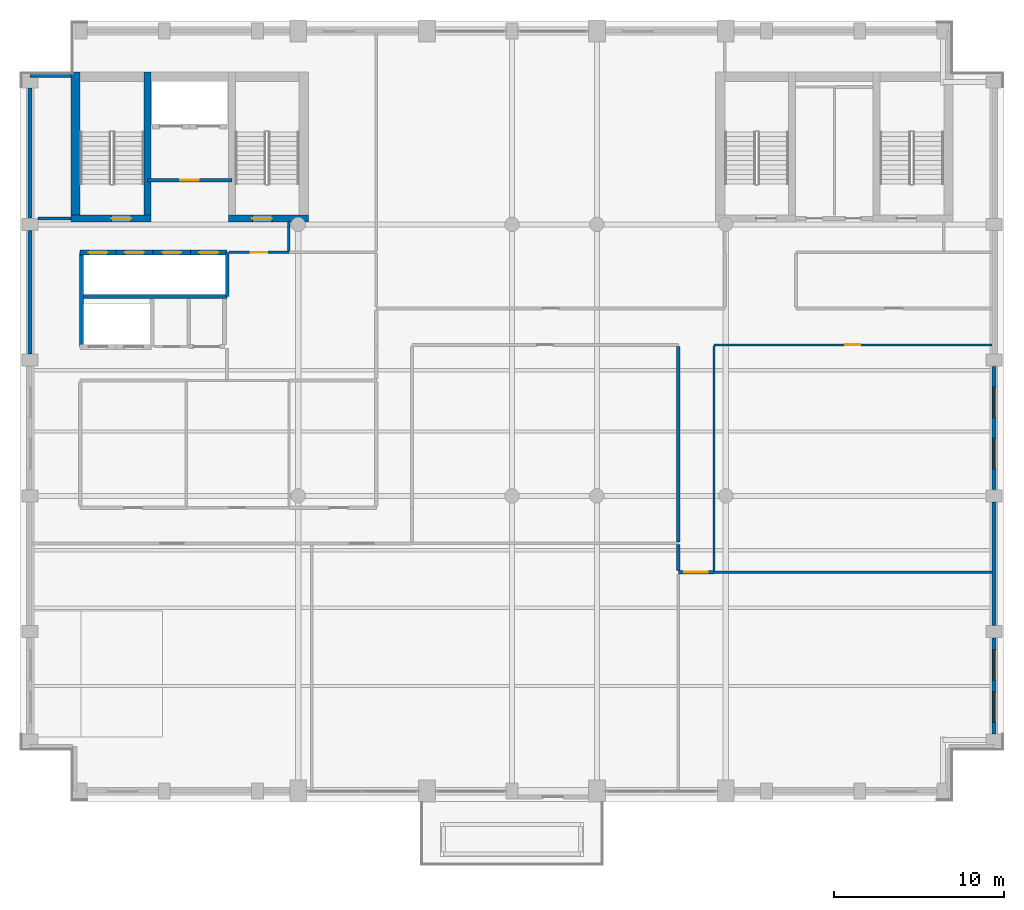
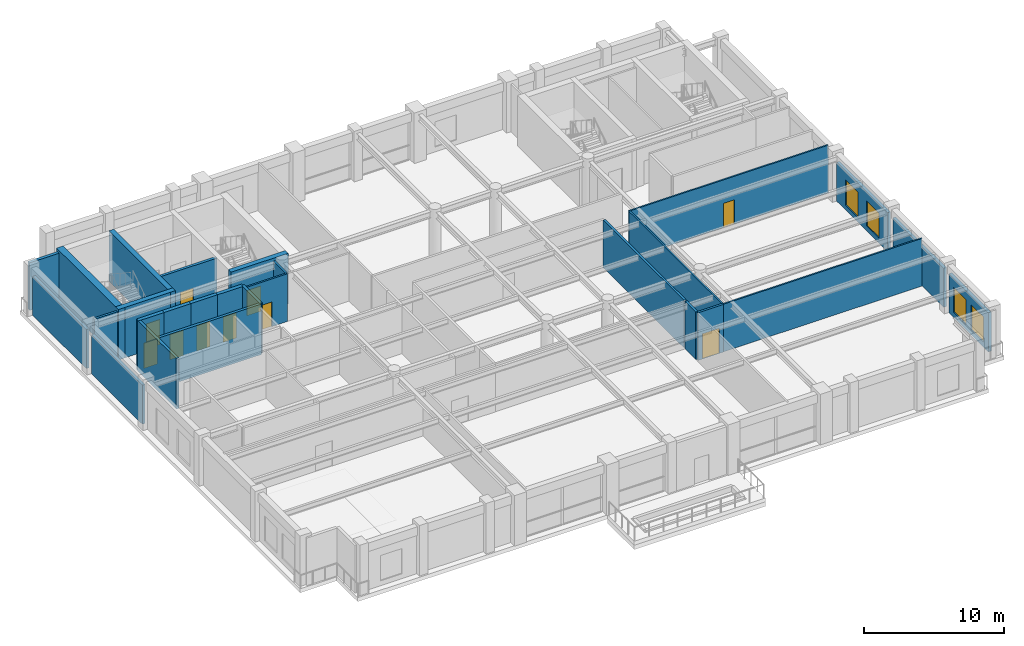
# One storey, part 8 of 13: 27 walls, 10 doors, 4 windows, 14 openings.
"""IFC4 building model written with IfcOpenShell, lengths in metres."""

from ifc_helpers import new_model, si_unit, direction, frame, frame_2d, origin, place, context, subcontext, project, spatial, rectangle, extrude, material, layer, layer_set, type_object, element, fill, save


model = new_model("IFC4")

# Units and contexts
model_context = context("Model", 3, precision=1e-05, world=origin(), true_north=direction((0.0, 1.0)))
body_context = subcontext(model_context, "Body", "Model", "MODEL_VIEW")
ifc_project = project(units=[si_unit("LENGTHUNIT", "METRE"), si_unit("AREAUNIT", "SQUARE_METRE"), si_unit("VOLUMEUNIT", "CUBIC_METRE"), si_unit("PLANEANGLEUNIT", "RADIAN"), si_unit("MASSUNIT", "GRAM", prefix="KILO")], contexts=[model_context])

# Site, building, storey
site_placement = place(None, origin())
site = spatial("IfcSite", under=ifc_project, at=site_placement, CompositionType="ELEMENT")
building_placement = place(site_placement, origin())
building = spatial("IfcBuilding", under=site, at=building_placement, Name="Sulina Concourse Tower", CompositionType="ELEMENT")
storey_placement = place(building_placement, frame((0.0, 0.0, 280.60009765625)))
storey = spatial("IfcBuildingStorey", under=building, at=storey_placement, Name="L68", CompositionType="ELEMENT", Elevation=280.60009765625)

# Walls
ifc_material_1 = material(Name="Concrete C50/60", Category="concrete")
ifc_layer_1 = layer(ifc_material_1, 0.219970703125)
ifc_layer_set_1 = layer_set([ifc_layer_1], Name="Concrete C50/60")
wall_type_1 = type_object("IfcWallType", Name="Core Lift Hoistway Divider Wall 220mm", PredefinedType="SOLIDWALL", material=ifc_layer_set_1)
wall_1_placement = place(storey_placement, frame((3.550048828125, 29.75, 0.0), z_axis=(0.0, 0.0, 1.0), x_axis=(1.0, 0.0, 0.0)))
element("IfcWall", 1, at=wall_1_placement, inside=storey, type_object=wall_type_1, Name="L68 shaft divider wall HW-LP3-S", PredefinedType="SOLIDWALL", context=body_context, shape_type="SweptSolid", body=[
    extrude(rectangle(XDim=8.64990234375, YDim=0.219970703125, at=frame_2d((4.324951171875, 0.0))), origin(), (0.0, 0.0, 1.0), 4.39990234375),
])
wall_2_placement = place(storey_placement, frame((3.6298828125, 26.800048828125, 0.0), z_axis=(0.0, 0.0, 1.0), x_axis=(0.0, 1.0, 0.0)))
element("IfcWall", 2, at=wall_2_placement, inside=storey, type_object=wall_type_1, Name="L68 shaft divider wall HW-LP3-W", PredefinedType="SOLIDWALL", context=body_context, shape_type="SweptSolid", body=[
    extrude(rectangle(XDim=5.550048828125, YDim=0.219970703125, at=frame_2d((2.77490234375, 0.0))), origin(), (0.0, 0.0, 1.0), 4.39990234375),
])
wall_3_placement = place(storey_placement, frame((12.219970703125, 29.75, 0.0), z_axis=(0.0, 0.0, 1.0), x_axis=(0.0, 1.0, 0.0)))
element("IfcWall", 3, at=wall_3_placement, inside=storey, type_object=wall_type_1, Name="L68 shaft divider wall HW-LP3-E", PredefinedType="SOLIDWALL", context=body_context, shape_type="SweptSolid", body=[
    extrude(rectangle(XDim=2.60009765625, YDim=0.219970703125, at=frame_2d((1.300048828125, 0.0))), origin(), (0.0, 0.0, 1.0), 4.39990234375),
])

# Wall, opening, door
ifc_material_2 = material(Name="Concrete C50/60", Category="concrete")
ifc_layer_2 = layer(ifc_material_2, 0.300048828125)
ifc_layer_set_2 = layer_set([ifc_layer_2], Name="Concrete C50/60")
wall_type_2 = type_object("IfcWallType", Name="Core Lift Hoistway Wall 300mm", PredefinedType="SOLIDWALL", material=ifc_layer_set_2)
wall_4_placement = place(storey_placement, frame((3.550048828125, 32.35009765625, 0.0), z_axis=(0.0, 0.0, 1.0), x_axis=(1.0, 0.0, 0.0)))
wall_4 = element("IfcWall", 4, at=wall_4_placement, inside=storey, type_object=wall_type_2, Name="L68 hoistway enclosure wall LP-09", PredefinedType="SOLIDWALL", context=body_context, shape_type="SweptSolid", body=[
    extrude(rectangle(XDim=2.099853515625, YDim=0.300048828125, at=frame_2d((1.0498046875, 0.0))), origin(), (0.0, 0.0, 1.0), 4.39990234375),
])
opening_1_placement = place(wall_4_placement, frame((0.5, 0.0, 0.0)))
opening_1 = element("IfcOpeningElement", 5, at=opening_1_placement, cuts=wall_4, Name="Opening LD-01", PredefinedType="OPENING", context=body_context, shape_type="SweptSolid", body=[
    extrude(rectangle(XDim=1.10009765625, YDim=2.199951171875, at=frame_2d((0.550048828125, 1.10009765625))), frame((0.0, 0.159912109375, 0.0), z_axis=(0.0, -1.0, 0.0), x_axis=(1.0, 0.0, 0.0)), (0.0, 0.0, 1.0), 0.320068359375),
])
ifc_material_3 = material(Name="Stainless steel lift landing door", Category="steel")
ifc_layer_3 = layer(ifc_material_3, 0.050048828125)
ifc_layer_set_3 = layer_set([ifc_layer_3], Name="Stainless steel lift landing door")
door_type_1 = type_object("IfcDoorType", Name="Passenger Lift Sliding Landing Door 1100x2200", OperationType="SLIDING_TO_LEFT", PredefinedType="DOOR", material=ifc_layer_set_3)
door_1_placement = place(opening_1_placement, origin())
door_1 = element("IfcDoor", 6, at=door_1_placement, inside=storey, type_object=door_type_1, Name="L68 lift landing sliding door LP-09", OperationType="SLIDING_TO_LEFT", OverallHeight=2.199951171875, OverallWidth=1.10009765625, PredefinedType="DOOR", context=body_context, shape_type="SweptSolid", body=[
    extrude(rectangle(XDim=1.10009765625, YDim=2.199951171875, at=frame_2d((0.550048828125, 1.10009765625))), frame((0.0, 0.02490234375, 0.0), z_axis=(0.0, -1.0, 0.0), x_axis=(1.0, 0.0, 0.0)), (0.0, 0.0, 1.0), 0.050048828125),
])
fill(opening_1, door_1)

wall_5_placement = place(storey_placement, frame((5.64990234375, 32.35009765625, 0.0), z_axis=(0.0, 0.0, 1.0), x_axis=(1.0, 0.0, 0.0)))
wall_5 = element("IfcWall", 7, at=wall_5_placement, inside=storey, type_object=wall_type_2, Name="L68 hoistway enclosure wall LP-10", PredefinedType="SOLIDWALL", context=body_context, shape_type="SweptSolid", body=[
    extrude(rectangle(XDim=2.2001953125, YDim=0.300048828125, at=frame_2d((1.10009765625, 0.0))), origin(), (0.0, 0.0, 1.0), 4.39990234375),
])
opening_2_placement = place(wall_5_placement, frame((0.550048828125, 0.0, 0.0)))
opening_2 = element("IfcOpeningElement", 8, at=opening_2_placement, cuts=wall_5, Name="Opening LD-01", PredefinedType="OPENING", context=body_context, shape_type="SweptSolid", body=[
    extrude(rectangle(XDim=1.10009765625, YDim=2.199951171875, at=frame_2d((0.550048828125, 1.10009765625))), frame((0.0, 0.159912109375, 0.0), z_axis=(0.0, -1.0, 0.0), x_axis=(1.0, 0.0, 0.0)), (0.0, 0.0, 1.0), 0.320068359375),
])
door_2_placement = place(opening_2_placement, origin())
door_2 = element("IfcDoor", 9, at=door_2_placement, inside=storey, type_object=door_type_1, Name="L68 lift landing sliding door LP-10", OperationType="SLIDING_TO_RIGHT", OverallHeight=2.199951171875, OverallWidth=1.10009765625, PredefinedType="DOOR", context=body_context, shape_type="SweptSolid", body=[
    extrude(rectangle(XDim=1.10009765625, YDim=2.199951171875, at=frame_2d((0.550048828125, 1.10009765625))), frame((0.0, 0.02490234375, 0.0), z_axis=(0.0, -1.0, 0.0), x_axis=(1.0, 0.0, 0.0)), (0.0, 0.0, 1.0), 0.050048828125),
])
fill(opening_2, door_2)

wall_6_placement = place(storey_placement, frame((7.85009765625, 32.35009765625, 0.0), z_axis=(0.0, 0.0, 1.0), x_axis=(1.0, 0.0, 0.0)))
wall_6 = element("IfcWall", 10, at=wall_6_placement, inside=storey, type_object=wall_type_2, Name="L68 hoistway enclosure wall LP-11", PredefinedType="SOLIDWALL", context=body_context, shape_type="SweptSolid", body=[
    extrude(rectangle(XDim=2.199951171875, YDim=0.300048828125, at=frame_2d((1.10009765625, 0.0))), origin(), (0.0, 0.0, 1.0), 4.39990234375),
])
opening_3_placement = place(wall_6_placement, frame((0.550048828125, 0.0, 0.0)))
opening_3 = element("IfcOpeningElement", 11, at=opening_3_placement, cuts=wall_6, Name="Opening LD-01", PredefinedType="OPENING", context=body_context, shape_type="SweptSolid", body=[
    extrude(rectangle(XDim=1.10009765625, YDim=2.199951171875, at=frame_2d((0.550048828125, 1.10009765625))), frame((0.0, 0.159912109375, 0.0), z_axis=(0.0, -1.0, 0.0), x_axis=(1.0, 0.0, 0.0)), (0.0, 0.0, 1.0), 0.320068359375),
])
door_3_placement = place(opening_3_placement, origin())
door_3 = element("IfcDoor", 12, at=door_3_placement, inside=storey, type_object=door_type_1, Name="L68 lift landing sliding door LP-11", OperationType="SLIDING_TO_LEFT", OverallHeight=2.199951171875, OverallWidth=1.10009765625, PredefinedType="DOOR", context=body_context, shape_type="SweptSolid", body=[
    extrude(rectangle(XDim=1.10009765625, YDim=2.199951171875, at=frame_2d((0.550048828125, 1.10009765625))), frame((0.0, 0.02490234375, 0.0), z_axis=(0.0, -1.0, 0.0), x_axis=(1.0, 0.0, 0.0)), (0.0, 0.0, 1.0), 0.050048828125),
])
fill(opening_3, door_3)

wall_7_placement = place(storey_placement, frame((10.050048828125, 32.35009765625, 0.0), z_axis=(0.0, 0.0, 1.0), x_axis=(1.0, 0.0, 0.0)))
wall_7 = element("IfcWall", 13, at=wall_7_placement, inside=storey, type_object=wall_type_2, Name="L68 hoistway enclosure wall LP-12", PredefinedType="SOLIDWALL", context=body_context, shape_type="SweptSolid", body=[
    extrude(rectangle(XDim=2.14990234375, YDim=0.300048828125, at=frame_2d((1.074951171875, 0.0))), origin(), (0.0, 0.0, 1.0), 4.39990234375),
])
opening_4_placement = place(wall_7_placement, frame((0.52490234375, 0.0, 0.0)))
opening_4 = element("IfcOpeningElement", 14, at=opening_4_placement, cuts=wall_7, Name="Opening LD-01", PredefinedType="OPENING", context=body_context, shape_type="SweptSolid", body=[
    extrude(rectangle(XDim=1.10009765625, YDim=2.199951171875, at=frame_2d((0.550048828125, 1.10009765625))), frame((0.0, 0.159912109375, 0.0), z_axis=(0.0, -1.0, 0.0), x_axis=(1.0, 0.0, 0.0)), (0.0, 0.0, 1.0), 0.320068359375),
])
door_4_placement = place(opening_4_placement, origin())
door_4 = element("IfcDoor", 15, at=door_4_placement, inside=storey, type_object=door_type_1, Name="L68 lift landing sliding door LP-12", OperationType="SLIDING_TO_RIGHT", OverallHeight=2.199951171875, OverallWidth=1.10009765625, PredefinedType="DOOR", context=body_context, shape_type="SweptSolid", body=[
    extrude(rectangle(XDim=1.10009765625, YDim=2.199951171875, at=frame_2d((0.550048828125, 1.10009765625))), frame((0.0, 0.02490234375, 0.0), z_axis=(0.0, -1.0, 0.0), x_axis=(1.0, 0.0, 0.0)), (0.0, 0.0, 1.0), 0.050048828125),
])
fill(opening_4, door_4)

# Walls
ifc_material_4 = material(Name="Precast concrete C50/60", Category="concrete")
ifc_layer_4 = layer(ifc_material_4, 0.239990234375)
ifc_layer_set_4 = layer_set([ifc_layer_4], Name="Precast concrete C50/60")
wall_type_3 = type_object("IfcWallType", Name="Crown Precast Masonry-Frame Facade Wall 240mm", PredefinedType="SOLIDWALL", material=ifc_layer_set_4)
wall_8_placement = place(storey_placement, frame((0.60009765625, 26.3701171875, 0.0), z_axis=(0.0, 0.0, 1.0), x_axis=(0.0, 1.0, 0.0)))
element("IfcWall", 16, at=wall_8_placement, inside=storey, type_object=wall_type_3, Name="L68 exterior precast wall W4", PredefinedType="SOLIDWALL", context=body_context, shape_type="SweptSolid", body=[
    extrude(rectangle(XDim=7.259765625, YDim=0.239990234375, at=frame_2d((3.6298828125, 0.0))), origin(), (0.0, 0.0, 1.0), 3.39990234375),
])
wall_9_placement = place(storey_placement, frame((0.60009765625, 34.3701171875, 0.0), z_axis=(0.0, 0.0, 1.0), x_axis=(0.0, 1.0, 0.0)))
element("IfcWall", 17, at=wall_9_placement, inside=storey, type_object=wall_type_3, Name="L68 exterior precast wall W5", PredefinedType="SOLIDWALL", context=body_context, shape_type="SweptSolid", body=[
    extrude(rectangle(XDim=7.659912109375, YDim=0.239990234375, at=frame_2d((3.830078125, 0.0))), origin(), (0.0, 0.0, 1.0), 3.39990234375),
])

# Wall, openings, windows
wall_10_placement = place(storey_placement, frame((57.39990234375, 9.6298828125, 0.0), z_axis=(0.0, 0.0, 1.0), x_axis=(0.0, -1.0, 0.0)))
wall_10 = element("IfcWall", 18, at=wall_10_placement, inside=storey, type_object=wall_type_3, Name="L68 exterior precast wall E1", PredefinedType="SOLIDWALL", context=body_context, shape_type="SweptSolid", body=[
    extrude(rectangle(XDim=5.659912109375, YDim=0.239990234375, at=frame_2d((2.830078125, 0.0))), origin(), (0.0, 0.0, 1.0), 3.39990234375),
])
opening_5_placement = place(wall_10_placement, frame((0.686767578125, 0.0, 0.419921875)))
opening_5 = element("IfcOpeningElement", 19, at=opening_5_placement, cuts=wall_10, Name="Opening WN-25", PredefinedType="OPENING", context=body_context, shape_type="SweptSolid", body=[
    extrude(rectangle(XDim=1.800048828125, YDim=2.199951171875, at=frame_2d((0.89990234375, 1.10009765625))), frame((0.0, 0.1298828125, 0.0), z_axis=(0.0, -1.0, 0.0), x_axis=(1.0, 0.0, 0.0)), (0.0, 0.0, 1.0), 0.260009765625),
])
opening_6_placement = place(wall_10_placement, frame((3.17333984375, 0.0, 0.419921875)))
opening_6 = element("IfcOpeningElement", 20, at=opening_6_placement, cuts=wall_10, Name="Opening WN-25", PredefinedType="OPENING", context=body_context, shape_type="SweptSolid", body=[
    extrude(rectangle(XDim=1.800048828125, YDim=2.199951171875, at=frame_2d((0.89990234375, 1.10009765625))), frame((0.0, 0.1298828125, 0.0), z_axis=(0.0, -1.0, 0.0), x_axis=(1.0, 0.0, 0.0)), (0.0, 0.0, 1.0), 0.260009765625),
])
ifc_material_5 = material(Name="Low-E solar double glazing in bronze aluminium", Category="aluminium")
window_type = type_object("IfcWindowType", Name="Punched Masonry-Frame Window 1800x2200", PartitioningType="SINGLE_PANEL", PredefinedType="WINDOW", material=ifc_material_5)
window_1_placement = place(opening_5_placement, origin())
window_1 = element("IfcWindow", 21, at=window_1_placement, inside=storey, type_object=window_type, Name="L68 punched window E1-1", OverallHeight=2.199951171875, OverallWidth=1.800048828125, PartitioningType="SINGLE_PANEL", PredefinedType="WINDOW", context=body_context, shape_type="SweptSolid", body=[
    extrude(rectangle(XDim=1.800048828125, YDim=2.199951171875, at=frame_2d((0.89990234375, 1.10009765625))), frame((0.0, 0.030029296875, 0.0), z_axis=(0.0, -1.0, 0.0), x_axis=(1.0, 0.0, 0.0)), (0.0, 0.0, 1.0), 0.06005859375),
])
fill(opening_5, window_1)
window_2_placement = place(opening_6_placement, origin())
window_2 = element("IfcWindow", 22, at=window_2_placement, inside=storey, type_object=window_type, Name="L68 punched window E1-2", OverallHeight=2.199951171875, OverallWidth=1.800048828125, PartitioningType="SINGLE_PANEL", PredefinedType="WINDOW", context=body_context, shape_type="SweptSolid", body=[
    extrude(rectangle(XDim=1.800048828125, YDim=2.199951171875, at=frame_2d((0.89990234375, 1.10009765625))), frame((0.0, 0.030029296875, 0.0), z_axis=(0.0, -1.0, 0.0), x_axis=(1.0, 0.0, 0.0)), (0.0, 0.0, 1.0), 0.06005859375),
])
fill(opening_6, window_2)

# Wall
wall_11_placement = place(storey_placement, frame((57.39990234375, 17.6298828125, 0.0), z_axis=(0.0, 0.0, 1.0), x_axis=(0.0, -1.0, 0.0)))
element("IfcWall", 23, at=wall_11_placement, inside=storey, type_object=wall_type_3, Name="L68 exterior precast wall E2", PredefinedType="SOLIDWALL", context=body_context, shape_type="SweptSolid", body=[
    extrude(rectangle(XDim=7.259765625, YDim=0.239990234375, at=frame_2d((3.6298828125, 0.0))), origin(), (0.0, 0.0, 1.0), 3.39990234375),
])

# Wall, openings, windows
wall_12_placement = place(storey_placement, frame((57.39990234375, 25.6298828125, 0.0), z_axis=(0.0, 0.0, 1.0), x_axis=(0.0, -1.0, 0.0)))
wall_12 = element("IfcWall", 24, at=wall_12_placement, inside=storey, type_object=wall_type_3, Name="L68 exterior precast wall E3", PredefinedType="SOLIDWALL", context=body_context, shape_type="SweptSolid", body=[
    extrude(rectangle(XDim=7.259765625, YDim=0.239990234375, at=frame_2d((3.6298828125, 0.0))), origin(), (0.0, 0.0, 1.0), 3.39990234375),
])
opening_7_placement = place(wall_12_placement, frame((1.219970703125, 0.0, 0.419921875)))
opening_7 = element("IfcOpeningElement", 25, at=opening_7_placement, cuts=wall_12, Name="Opening WN-25", PredefinedType="OPENING", context=body_context, shape_type="SweptSolid", body=[
    extrude(rectangle(XDim=1.800048828125, YDim=2.199951171875, at=frame_2d((0.89990234375, 1.10009765625))), frame((0.0, 0.1298828125, 0.0), z_axis=(0.0, -1.0, 0.0), x_axis=(1.0, 0.0, 0.0)), (0.0, 0.0, 1.0), 0.260009765625),
])
opening_8_placement = place(wall_12_placement, frame((4.239990234375, 0.0, 0.419921875)))
opening_8 = element("IfcOpeningElement", 26, at=opening_8_placement, cuts=wall_12, Name="Opening WN-25", PredefinedType="OPENING", context=body_context, shape_type="SweptSolid", body=[
    extrude(rectangle(XDim=1.800048828125, YDim=2.199951171875, at=frame_2d((0.89990234375, 1.10009765625))), frame((0.0, 0.1298828125, 0.0), z_axis=(0.0, -1.0, 0.0), x_axis=(1.0, 0.0, 0.0)), (0.0, 0.0, 1.0), 0.260009765625),
])
window_3_placement = place(opening_7_placement, origin())
window_3 = element("IfcWindow", 27, at=window_3_placement, inside=storey, type_object=window_type, Name="L68 punched window E3-1", OverallHeight=2.199951171875, OverallWidth=1.800048828125, PartitioningType="SINGLE_PANEL", PredefinedType="WINDOW", context=body_context, shape_type="SweptSolid", body=[
    extrude(rectangle(XDim=1.800048828125, YDim=2.199951171875, at=frame_2d((0.89990234375, 1.10009765625))), frame((0.0, 0.030029296875, 0.0), z_axis=(0.0, -1.0, 0.0), x_axis=(1.0, 0.0, 0.0)), (0.0, 0.0, 1.0), 0.06005859375),
])
fill(opening_7, window_3)
window_4_placement = place(opening_8_placement, origin())
window_4 = element("IfcWindow", 28, at=window_4_placement, inside=storey, type_object=window_type, Name="L68 punched window E3-2", OverallHeight=2.199951171875, OverallWidth=1.800048828125, PartitioningType="SINGLE_PANEL", PredefinedType="WINDOW", context=body_context, shape_type="SweptSolid", body=[
    extrude(rectangle(XDim=1.800048828125, YDim=2.199951171875, at=frame_2d((0.89990234375, 1.10009765625))), frame((0.0, 0.030029296875, 0.0), z_axis=(0.0, -1.0, 0.0), x_axis=(1.0, 0.0, 0.0)), (0.0, 0.0, 1.0), 0.06005859375),
])
fill(opening_8, window_4)

# Wall
wall_13_placement = place(storey_placement, frame((0.60009765625, 42.77001953125, 0.0), z_axis=(0.0, 0.0, 1.0), x_axis=(1.0, 0.0, 0.0)))
element("IfcWall", 29, at=wall_13_placement, inside=storey, type_object=wall_type_3, Name="L68 exterior precast wall CNW1", PredefinedType="SOLIDWALL", context=body_context, shape_type="SweptSolid", body=[
    extrude(rectangle(XDim=2.39501953125, YDim=0.239990234375, at=frame_2d((1.197509765625, 0.0))), origin(), (0.0, 0.0, 1.0), 4.14990234375),
])

# Wall, opening, door
ifc_material_6 = material(Name="Gypsum board on steel stud", Category="steel")
ifc_layer_5 = layer(ifc_material_6, 0.219970703125)
ifc_layer_set_5 = layer_set([ifc_layer_5], Name="Gypsum board on steel stud")
wall_type_4 = type_object("IfcWallType", Name="Fire-Rated Lobby & Compartment Wall 220mm", PredefinedType="PARTITIONING", material=ifc_layer_set_5)
wall_14_placement = place(storey_placement, frame((7.510009765625, 36.60009765625, 0.0), z_axis=(0.0, 0.0, 1.0), x_axis=(1.0, 0.0, 0.0)))
wall_14 = element("IfcWall", 30, at=wall_14_placement, inside=storey, type_object=wall_type_4, Name="L68 firefighting lobby south fire wall", PredefinedType="PARTITIONING", context=body_context, shape_type="SweptSolid", body=[
    extrude(rectangle(XDim=4.97998046875, YDim=0.219970703125, at=frame_2d((2.489990234375, 0.0))), origin(), (0.0, 0.0, 1.0), 4.14990234375),
])
opening_9_placement = place(wall_14_placement, frame((1.93994140625, 0.0, 0.0)))
opening_9 = element("IfcOpeningElement", 31, at=opening_9_placement, cuts=wall_14, Name="Opening DR-47", PredefinedType="OPENING", context=body_context, shape_type="SweptSolid", body=[
    extrude(rectangle(XDim=1.10009765625, YDim=2.199951171875, at=frame_2d((0.550048828125, 1.10009765625))), frame((0.0, 0.119873046875, 0.0), z_axis=(0.0, -1.0, 0.0), x_axis=(1.0, 0.0, 0.0)), (0.0, 0.0, 1.0), 0.239990234375),
])
ifc_material_7 = material(Name="Galvanised steel acoustic fire leaf", Category="steel")
ifc_layer_6 = layer(ifc_material_7, 0.054931640625)
ifc_layer_set_6 = layer_set([ifc_layer_6], Name="Galvanised steel acoustic fire leaf")
door_type_2 = type_object("IfcDoorType", Name="Firefighting Lobby Fire Door 1100x2200", OperationType="NOTDEFINED", PredefinedType="DOOR", material=ifc_layer_set_6)
door_5_placement = place(opening_9_placement, origin())
door_5 = element("IfcDoor", 32, at=door_5_placement, inside=storey, type_object=door_type_2, Name="L68 firefighting lobby fire door", OperationType="SINGLE_SWING_LEFT", OverallHeight=2.199951171875, OverallWidth=1.10009765625, PredefinedType="DOOR", context=body_context, shape_type="SweptSolid", body=[
    extrude(rectangle(XDim=1.10009765625, YDim=2.199951171875, at=frame_2d((0.550048828125, 1.10009765625))), frame((0.0, 0.02490234375, 0.0), z_axis=(0.0, -1.0, 0.0), x_axis=(1.0, 0.0, 0.0)), (0.0, 0.0, 1.0), 0.050048828125),
])
fill(opening_9, door_5)

ifc_material_8 = material(Name="Gypsum board on steel stud", Category="steel")
ifc_layer_7 = layer(ifc_material_8, 0.14990234375)
ifc_layer_set_7 = layer_set([ifc_layer_7], Name="Gypsum board on steel stud")
wall_type_5 = type_object("IfcWallType", Name="Inter-Tenancy Acoustic Partition 150mm", PredefinedType="PARTITIONING", material=ifc_layer_set_7)
wall_15_placement = place(storey_placement, frame((12.330078125, 32.35009765625, 0.0), z_axis=(0.0, 0.0, 1.0), x_axis=(1.0, 0.0, 0.0)))
wall_15 = element("IfcWall", 33, at=wall_15_placement, inside=storey, type_object=wall_type_5, Name="L68 interior partition 019", PredefinedType="PARTITIONING", context=body_context, shape_type="SweptSolid", body=[
    extrude(rectangle(XDim=3.52001953125, YDim=0.14990234375, at=frame_2d((1.760009765625, 0.0))), origin(), (0.0, 0.0, 1.0), 4.14990234375),
])
opening_10_placement = place(wall_15_placement, frame((1.284912109375, 0.0, 0.0)))
opening_10 = element("IfcOpeningElement", 34, at=opening_10_placement, cuts=wall_15, Name="Opening DR-19", PredefinedType="OPENING", context=body_context, shape_type="SweptSolid", body=[
    extrude(rectangle(XDim=0.949951171875, YDim=2.14990234375, at=frame_2d((0.47509765625, 1.074951171875))), frame((0.0, 0.0849609375, 0.0), z_axis=(0.0, -1.0, 0.0), x_axis=(1.0, 0.0, 0.0)), (0.0, 0.0, 1.0), 0.169921875),
])
ifc_material_9 = material(Name="Oak-veneered acoustic timber leaf", Category="wood")
ifc_layer_8 = layer(ifc_material_9, 0.050048828125)
ifc_layer_set_8 = layer_set([ifc_layer_8], Name="Oak-veneered acoustic timber leaf")
door_type_3 = type_object("IfcDoorType", Name="Cellular Office & Meeting Door 950x2150", OperationType="NOTDEFINED", PredefinedType="DOOR", material=ifc_layer_set_8)
door_6_placement = place(opening_10_placement, origin())
door_6 = element("IfcDoor", 35, at=door_6_placement, inside=storey, type_object=door_type_3, Name="L68 interior door L68-MR-MRG1", OperationType="SINGLE_SWING_RIGHT", OverallHeight=2.14990234375, OverallWidth=0.949951171875, PredefinedType="DOOR", context=body_context, shape_type="SweptSolid", body=[
    extrude(rectangle(XDim=0.949951171875, YDim=2.14990234375, at=frame_2d((0.47509765625, 1.074951171875))), frame((0.0, 0.02490234375, 0.0), z_axis=(0.0, -1.0, 0.0), x_axis=(1.0, 0.0, 0.0)), (0.0, 0.0, 1.0), 0.050048828125),
])
fill(opening_10, door_6)

# Wall
wall_16_placement = place(storey_placement, frame((15.85009765625, 32.425048828125, 0.0), z_axis=(0.0, 0.0, 1.0), x_axis=(0.0, 1.0, 0.0)))
element("IfcWall", 36, at=wall_16_placement, inside=storey, type_object=wall_type_5, Name="L68 interior partition 032", PredefinedType="PARTITIONING", context=body_context, shape_type="SweptSolid", body=[
    extrude(rectangle(XDim=1.724853515625, YDim=0.14990234375, at=frame_2d((0.8623046875, 0.0))), origin(), (0.0, 0.0, 1.0), 4.14990234375),
])

# Wall, opening, door
ifc_material_10 = material(Name="Gypsum board on steel stud", Category="steel")
ifc_layer_9 = layer(ifc_material_10, 0.179931640625)
ifc_layer_set_9 = layer_set([ifc_layer_9], Name="Gypsum board on steel stud")
wall_type_6 = type_object("IfcWallType", Name="Protected Corridor & Riser Partition 180mm", PredefinedType="PARTITIONING", material=ifc_layer_set_9)
wall_17_placement = place(storey_placement, frame((38.800048828125, 13.5, 0.0), z_axis=(0.0, 0.0, 1.0), x_axis=(1.0, 0.0, 0.0)))
wall_17 = element("IfcWall", 37, at=wall_17_placement, inside=storey, type_object=wall_type_6, Name="L68 interior partition 001", PredefinedType="PARTITIONING", context=body_context, shape_type="SweptSolid", body=[
    extrude(rectangle(XDim=2.099853515625, YDim=0.179931640625, at=frame_2d((1.0498046875, 0.0))), origin(), (0.0, 0.0, 1.0), 4.14990234375),
])
opening_11_placement = place(wall_17_placement, frame((0.35009765625, 0.0, 0.0)))
opening_11 = element("IfcOpeningElement", 38, at=opening_11_placement, cuts=wall_17, Name="Opening DR-57", PredefinedType="OPENING", context=body_context, shape_type="SweptSolid", body=[
    extrude(rectangle(XDim=1.39990234375, YDim=2.199951171875, at=frame_2d((0.699951171875, 1.10009765625))), frame((0.0, 0.099853515625, 0.0), z_axis=(0.0, -1.0, 0.0), x_axis=(1.0, 0.0, 0.0)), (0.0, 0.0, 1.0), 0.199951171875),
])
ifc_material_11 = material(Name="Oak-veneered fire door leaf")
ifc_layer_10 = layer(ifc_material_11, 0.054931640625)
ifc_layer_set_10 = layer_set([ifc_layer_10], Name="Oak-veneered fire door leaf")
door_type_4 = type_object("IfcDoorType", Name="Core Lift Lobby Double Fire Door 1400x2200", OperationType="DOUBLE_DOOR_SINGLE_SWING", PredefinedType="DOOR", material=ifc_layer_set_10)
door_7_placement = place(opening_11_placement, origin())
door_7 = element("IfcDoor", 39, at=door_7_placement, inside=storey, type_object=door_type_4, Name="L68 interior door L68-SPA-E", OperationType="DOUBLE_DOOR_SINGLE_SWING", OverallHeight=2.199951171875, OverallWidth=1.39990234375, PredefinedType="DOOR", context=body_context, shape_type="SweptSolid", body=[
    extrude(rectangle(XDim=1.39990234375, YDim=2.199951171875, at=frame_2d((0.699951171875, 1.10009765625))), frame((0.0, 0.02490234375, 0.0), z_axis=(0.0, -1.0, 0.0), x_axis=(1.0, 0.0, 0.0)), (0.0, 0.0, 1.0), 0.050048828125),
])
fill(opening_11, door_7)

# Walls
wall_18_placement = place(storey_placement, frame((1.074951171875, 34.35009765625, 0.0), z_axis=(0.0, 0.0, 1.0), x_axis=(1.0, 0.0, 0.0)))
element("IfcWall", 40, at=wall_18_placement, inside=storey, type_object=wall_type_6, Name="L68 interior partition 023", PredefinedType="PARTITIONING", context=body_context, shape_type="SweptSolid", body=[
    extrude(rectangle(XDim=1.925048828125, YDim=0.179931640625, at=frame_2d((0.96240234375, 0.0))), origin(), (0.0, 0.0, 1.0), 4.14990234375),
])
wall_19_placement = place(storey_placement, frame((38.800048828125, 13.590087890625, 0.0), z_axis=(0.0, 0.0, 1.0), x_axis=(0.0, 1.0, 0.0)))
element("IfcWall", 41, at=wall_19_placement, inside=storey, type_object=wall_type_6, Name="L68 interior partition 042", PredefinedType="PARTITIONING", context=body_context, shape_type="SweptSolid", body=[
    extrude(rectangle(XDim=1.534912109375, YDim=0.179931640625, at=frame_2d((0.767578125, 0.0))), origin(), (0.0, 0.0, 1.0), 4.14990234375),
])
wall_20_placement = place(storey_placement, frame((38.800048828125, 15.27490234375, 0.0), z_axis=(0.0, 0.0, 1.0), x_axis=(0.0, 1.0, 0.0)))
element("IfcWall", 42, at=wall_20_placement, inside=storey, type_object=wall_type_6, Name="L68 interior partition 043", PredefinedType="PARTITIONING", context=body_context, shape_type="SweptSolid", body=[
    extrude(rectangle(XDim=11.53515625, YDim=0.179931640625, at=frame_2d((5.767578125, 0.0))), origin(), (0.0, 0.0, 1.0), 4.14990234375),
])

# Wall, opening, door
ifc_material_12 = material(Name="Concrete C60/75", Category="concrete")
ifc_layer_11 = layer(ifc_material_12, 0.39990234375)
ifc_layer_set_11 = layer_set([ifc_layer_11], Name="Concrete C60/75")
wall_type_7 = type_object("IfcWallType", Name="Protected Stair Core Shear Wall 400mm", PredefinedType="SHEAR", material=ifc_layer_set_11)
wall_21_placement = place(storey_placement, frame((3.0, 34.35009765625, 0.0), z_axis=(0.0, 0.0, 1.0), x_axis=(1.0, 0.0, 0.0)))
wall_21 = element("IfcWall", 43, at=wall_21_placement, inside=storey, type_object=wall_type_7, Name="L68 west core shear wall CW-WS1", PredefinedType="SHEAR", context=body_context, shape_type="SweptSolid", body=[
    extrude(rectangle(XDim=4.7099609375, YDim=0.39990234375, at=frame_2d((2.35498046875, 0.0))), origin(), (0.0, 0.0, 1.0), 4.39990234375),
])
opening_12_placement = place(wall_21_placement, frame((2.39990234375, 0.0, 0.0)))
opening_12 = element("IfcOpeningElement", 44, at=opening_12_placement, cuts=wall_21, Name="Opening DR-60", PredefinedType="OPENING", context=body_context, shape_type="SweptSolid", body=[
    extrude(rectangle(XDim=1.14990234375, YDim=2.199951171875, at=frame_2d((0.574951171875, 1.10009765625))), frame((0.0, 0.2099609375, 0.0), z_axis=(0.0, -1.0, 0.0), x_axis=(1.0, 0.0, 0.0)), (0.0, 0.0, 1.0), 0.419921875),
])
ifc_material_13 = material(Name="Galvanised steel acoustic fire leaf", Category="steel")
ifc_layer_12 = layer(ifc_material_13, 0.054931640625)
ifc_layer_set_12 = layer_set([ifc_layer_12], Name="Galvanised steel acoustic fire leaf")
door_type_5 = type_object("IfcDoorType", Name="Protected Exit Stair Fire Door 1150x2200", OperationType="NOTDEFINED", PredefinedType="DOOR", material=ifc_layer_set_12)
door_8_placement = place(opening_12_placement, origin())
door_8 = element("IfcDoor", 45, at=door_8_placement, inside=storey, type_object=door_type_5, Name="L68 stair ST-1 lobby fire door", OperationType="SINGLE_SWING_LEFT", OverallHeight=2.199951171875, OverallWidth=1.14990234375, PredefinedType="DOOR", context=body_context, shape_type="SweptSolid", body=[
    extrude(rectangle(XDim=1.14990234375, YDim=2.199951171875, at=frame_2d((0.574951171875, 1.10009765625))), frame((0.0, 0.02490234375, 0.0), z_axis=(0.0, -1.0, 0.0), x_axis=(1.0, 0.0, 0.0)), (0.0, 0.0, 1.0), 0.050048828125),
])
fill(opening_12, door_8)

wall_22_placement = place(storey_placement, frame((12.2900390625, 34.35009765625, 0.0), z_axis=(0.0, 0.0, 1.0), x_axis=(1.0, 0.0, 0.0)))
wall_22 = element("IfcWall", 46, at=wall_22_placement, inside=storey, type_object=wall_type_7, Name="L68 west core shear wall CW-WS2", PredefinedType="SHEAR", context=body_context, shape_type="SweptSolid", body=[
    extrude(rectangle(XDim=4.7099609375, YDim=0.39990234375, at=frame_2d((2.35498046875, 0.0))), origin(), (0.0, 0.0, 1.0), 4.39990234375),
])
opening_13_placement = place(wall_22_placement, frame((1.39990234375, 0.0, 0.0)))
opening_13 = element("IfcOpeningElement", 47, at=opening_13_placement, cuts=wall_22, Name="Opening DR-60", PredefinedType="OPENING", context=body_context, shape_type="SweptSolid", body=[
    extrude(rectangle(XDim=1.14990234375, YDim=2.199951171875, at=frame_2d((0.574951171875, 1.10009765625))), frame((0.0, 0.2099609375, 0.0), z_axis=(0.0, -1.0, 0.0), x_axis=(1.0, 0.0, 0.0)), (0.0, 0.0, 1.0), 0.419921875),
])
door_9_placement = place(opening_13_placement, origin())
door_9 = element("IfcDoor", 48, at=door_9_placement, inside=storey, type_object=door_type_5, Name="L68 stair ST-2 lobby fire door", OperationType="SINGLE_SWING_RIGHT", OverallHeight=2.199951171875, OverallWidth=1.14990234375, PredefinedType="DOOR", context=body_context, shape_type="SweptSolid", body=[
    extrude(rectangle(XDim=1.14990234375, YDim=2.199951171875, at=frame_2d((0.574951171875, 1.10009765625))), frame((0.0, 0.02490234375, 0.0), z_axis=(0.0, -1.0, 0.0), x_axis=(1.0, 0.0, 0.0)), (0.0, 0.0, 1.0), 0.050048828125),
])
fill(opening_13, door_9)

# Walls
wall_23_placement = place(storey_placement, frame((7.510009765625, 34.14990234375, 0.0), z_axis=(0.0, 0.0, 1.0), x_axis=(0.0, 1.0, 0.0)))
element("IfcWall", 49, at=wall_23_placement, inside=storey, type_object=wall_type_7, Name="L68 west core shear wall SW-ST1", PredefinedType="SHEAR", context=body_context, shape_type="SweptSolid", body=[
    extrude(rectangle(XDim=8.830078125, YDim=0.39990234375, at=frame_2d((4.4150390625, 0.0))), origin(), (0.0, 0.0, 1.0), 4.39990234375),
])
ifc_material_14 = material(Name="Concrete C50/60", Category="concrete")
ifc_layer_13 = layer(ifc_material_14, 0.550048828125)
ifc_layer_set_13 = layer_set([ifc_layer_13], Name="Concrete C50/60")
wall_type_8 = type_object("IfcWallType", Name="Upper Core Shear Wall 550mm", PredefinedType="SHEAR", material=ifc_layer_set_13)
wall_24_placement = place(storey_placement, frame((3.27490234375, 34.14990234375, 0.0), z_axis=(0.0, 0.0, 1.0), x_axis=(0.0, 1.0, 0.0)))
element("IfcWall", 50, at=wall_24_placement, inside=storey, type_object=wall_type_8, Name="L68 west core shear wall CW-WW", PredefinedType="SHEAR", context=body_context, shape_type="SweptSolid", body=[
    extrude(rectangle(XDim=8.830078125, YDim=0.550048828125, at=frame_2d((4.4150390625, 0.0))), origin(), (0.0, 0.0, 1.0), 4.39990234375),
])
ifc_material_15 = material(Name="Gypsum board on steel stud", Category="steel")
ifc_layer_14 = layer(ifc_material_15, 0.125)
ifc_layer_set_14 = layer_set([ifc_layer_14], Name="Gypsum board on steel stud")
wall_type_9 = type_object("IfcWallType", Name="Wet-Area Moisture-Resistant Partition 125mm", PredefinedType="PARTITIONING", material=ifc_layer_set_14)
wall_25_placement = place(storey_placement, frame((40.89990234375, 13.5, 0.0), z_axis=(0.0, 0.0, 1.0), x_axis=(1.0, 0.0, 0.0)))
element("IfcWall", 51, at=wall_25_placement, inside=storey, type_object=wall_type_9, Name="L68 interior partition 002", PredefinedType="PARTITIONING", context=body_context, shape_type="SweptSolid", body=[
    extrude(rectangle(XDim=16.380126953125, YDim=0.125, at=frame_2d((8.18994140625, 0.0))), origin(), (0.0, 0.0, 1.0), 4.14990234375),
])

# Wall, opening, door
wall_26_placement = place(storey_placement, frame((40.89990234375, 26.89990234375, 0.0), z_axis=(0.0, 0.0, 1.0), x_axis=(1.0, 0.0, 0.0)))
wall_26 = element("IfcWall", 52, at=wall_26_placement, inside=storey, type_object=wall_type_9, Name="L68 interior partition 016", PredefinedType="PARTITIONING", context=body_context, shape_type="SweptSolid", body=[
    extrude(rectangle(XDim=16.380126953125, YDim=0.125, at=frame_2d((8.18994140625, 0.0))), origin(), (0.0, 0.0, 1.0), 4.14990234375),
])
opening_14_placement = place(wall_26_placement, frame((7.739990234375, 0.0, 0.0)))
opening_14 = element("IfcOpeningElement", 53, at=opening_14_placement, cuts=wall_26, Name="Opening DR-21", PredefinedType="OPENING", context=body_context, shape_type="SweptSolid", body=[
    extrude(rectangle(XDim=0.89990234375, YDim=2.10009765625, at=frame_2d((0.449951171875, 1.050048828125))), frame((0.0, 0.072509765625, 0.0), z_axis=(0.0, -1.0, 0.0), x_axis=(1.0, 0.0, 0.0)), (0.0, 0.0, 1.0), 0.14501953125),
])
ifc_material_16 = material(Name="Oak-veneered fire door leaf")
ifc_layer_15 = layer(ifc_material_16, 0.050048828125)
ifc_layer_set_15 = layer_set([ifc_layer_15], Name="Oak-veneered fire door leaf")
door_type_6 = type_object("IfcDoorType", Name="Restroom & Service Door 900x2100", OperationType="NOTDEFINED", PredefinedType="DOOR", material=ifc_layer_set_15)
door_10_placement = place(opening_14_placement, origin())
door_10 = element("IfcDoor", 54, at=door_10_placement, inside=storey, type_object=door_type_6, Name="L68 interior door L68-CHG-E", OperationType="SINGLE_SWING_LEFT", OverallHeight=2.10009765625, OverallWidth=0.89990234375, PredefinedType="DOOR", context=body_context, shape_type="SweptSolid", body=[
    extrude(rectangle(XDim=0.89990234375, YDim=2.10009765625, at=frame_2d((0.449951171875, 1.050048828125))), frame((0.0, 0.02490234375, 0.0), z_axis=(0.0, -1.0, 0.0), x_axis=(1.0, 0.0, 0.0)), (0.0, 0.0, 1.0), 0.050048828125),
])
fill(opening_14, door_10)

# Wall
wall_27_placement = place(storey_placement, frame((40.89990234375, 13.590087890625, 0.0), z_axis=(0.0, 0.0, 1.0), x_axis=(0.0, 1.0, 0.0)))
element("IfcWall", 55, at=wall_27_placement, inside=storey, type_object=wall_type_9, Name="L68 interior partition 044", PredefinedType="PARTITIONING", context=body_context, shape_type="SweptSolid", body=[
    extrude(rectangle(XDim=13.247314453125, YDim=0.125, at=frame_2d((6.62353515625, 0.0))), origin(), (0.0, 0.0, 1.0), 4.14990234375),
])

save(model, "model.ifc")
